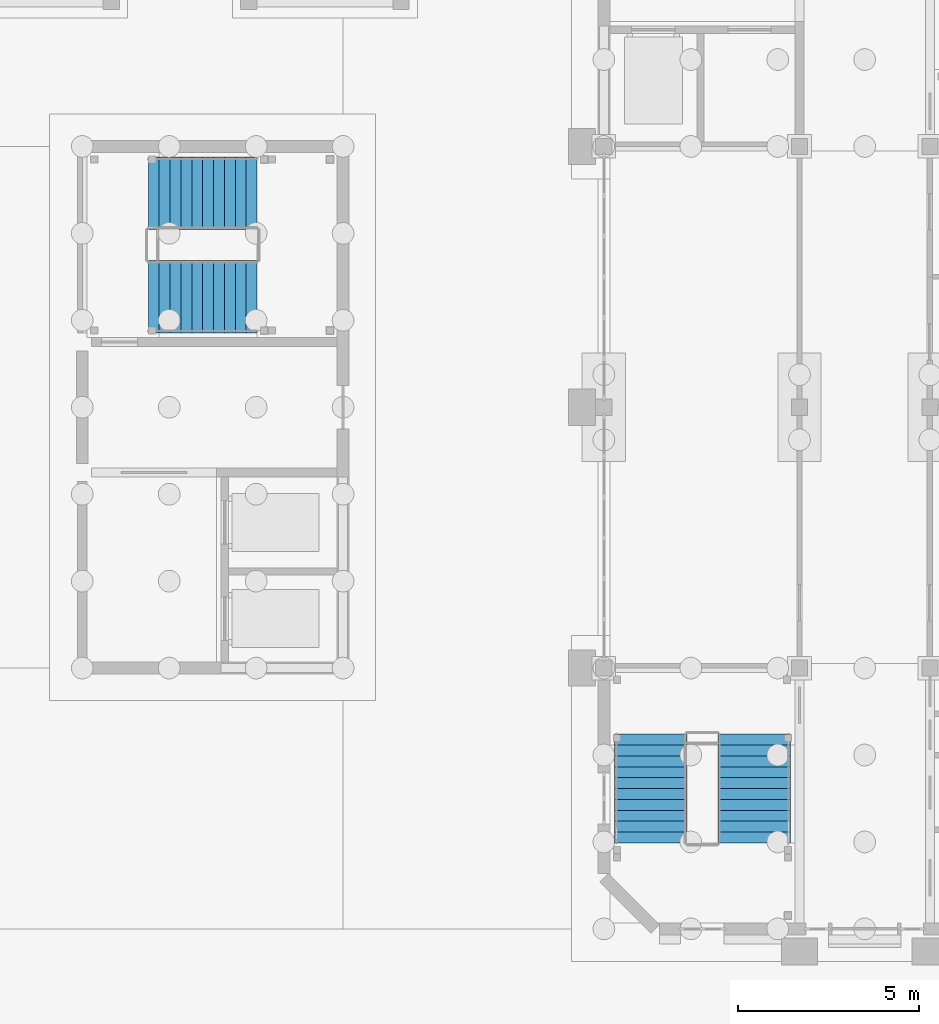
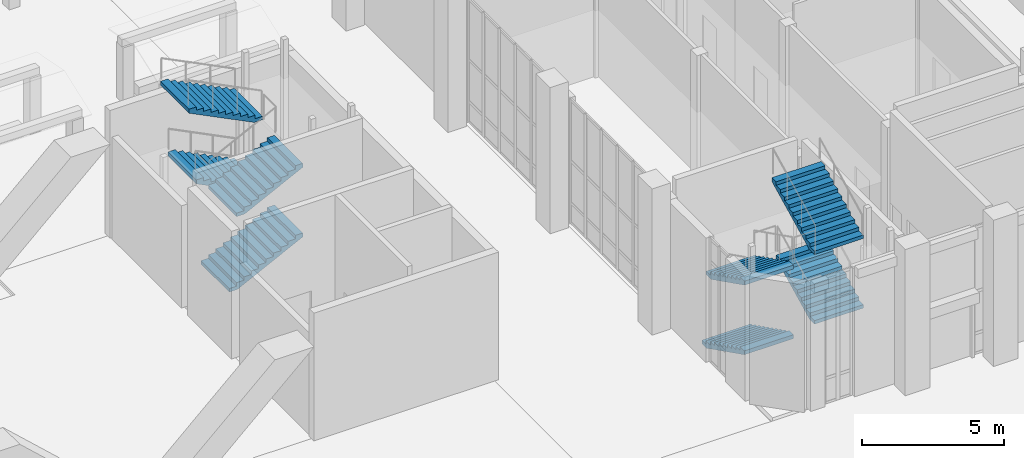
# One storey, part 64 of 84: 8 stair flights, 2 elements without a shape of their own.
"""IFC4 building model written with IfcOpenShell, lengths in metres."""

import ifcopenshell
import ifcopenshell.guid

model = None  # the IFC model being written
_history = None  # IfcOwnerHistory: only IFC2X3 demands one
_inside = {}  # id of a spatial element -> (the spatial element, [elements in it])
_under = {}  # id of a project, library or spatial element -> (it, [spatial elements below it])
_declared = {}  # id of a project -> (the project, [libraries it declares])
_typed = {}  # id of a type object -> (the type object, [elements of that type])
_made_of = {}  # id of a material, layer set ... -> (it, [elements and type objects made of it])


def new_model(schema):
    """Start an empty IFC model of exactly this schema.

    Asked for "IFC4X3", IfcOpenShell would pick the latest addendum, in which some entities
    have other attributes; the version numbers below select the first issue.
    IFC2X3 requires an IfcOwnerHistory on every rooted entity: one is made here for all.
    """
    global model, _history
    if schema == "IFC4X3":
        model = ifcopenshell.file(schema_version=(4, 3, 0, 0))
    else:
        model = ifcopenshell.file(schema=schema)
    _inside.clear()
    _under.clear()
    _declared.clear()
    _typed.clear()
    _made_of.clear()
    _history = None
    if model.schema == "IFC2X3":
        org = make("IfcOrganization", Name="unknown")
        user = make(
            "IfcPersonAndOrganization",
            ThePerson=make("IfcPerson", FamilyName="unknown"),
            TheOrganization=org,
        )
        app = make(
            "IfcApplication",
            ApplicationDeveloper=org,
            Version="unknown",
            ApplicationFullName="unknown",
            ApplicationIdentifier="unknown",
        )
        _history = make(
            "IfcOwnerHistory",
            OwningUser=user,
            OwningApplication=app,
            ChangeAction="ADDED",
            CreationDate=0,
        )
    return model


def make(cls, **values):
    """One entity of the class cls with the attributes given. An attribute that is None is left unset."""
    return model.create_entity(
        cls, **{name: value for name, value in values.items() if value is not None}
    )


def rooted(cls, **values):
    """An entity with a GlobalId (a new one), such as an element, a storey or a relation."""
    return make(cls, GlobalId=ifcopenshell.guid.new(), OwnerHistory=_history, **values)


def si_unit(unit_type, name, prefix=None):
    """IfcSIUnit, for example si_unit("LENGTHUNIT", "METRE", prefix="MILLI")."""
    return make("IfcSIUnit", UnitType=unit_type, Prefix=prefix, Name=name)


def assignment(units):
    """IfcUnitAssignment: the units of a project."""
    return None if units is None else make("IfcUnitAssignment", Units=units)


def point(xyz):
    """IfcCartesianPoint."""
    return None if xyz is None else make("IfcCartesianPoint", Coordinates=xyz)


def direction(xyz):
    """IfcDirection."""
    return None if xyz is None else make("IfcDirection", DirectionRatios=xyz)


def frame(location, z_axis=None, x_axis=None):
    """IfcAxis2Placement3D, a coordinate frame: its origin and axes. An axis left out is left unset."""
    return make(
        "IfcAxis2Placement3D",
        Location=point(location),
        Axis=direction(z_axis),
        RefDirection=direction(x_axis),
    )


def origin():
    """The frame at (0, 0, 0) with its axes left unset."""
    return frame((0.0, 0.0, 0.0))


def place(relative_to, where):
    """IfcLocalPlacement: puts the frame where relative to a parent placement (None: the world)."""
    return make(
        "IfcLocalPlacement", PlacementRelTo=relative_to, RelativePlacement=where
    )


def context(
    kind, dimensions, precision=None, world=None, true_north=None, identifier=None
):
    """IfcGeometricRepresentationContext, for example the 3D "Model" context."""
    return make(
        "IfcGeometricRepresentationContext",
        ContextIdentifier=identifier,
        ContextType=kind,
        CoordinateSpaceDimension=dimensions,
        Precision=precision,
        WorldCoordinateSystem=world,
        TrueNorth=true_north,
    )


def subcontext(parent, identifier, kind, view, scale=None):
    """IfcGeometricRepresentationSubContext, for example "Body" below "Model"."""
    return make(
        "IfcGeometricRepresentationSubContext",
        ContextIdentifier=identifier,
        ContextType=kind,
        ParentContext=parent,
        TargetScale=scale,
        TargetView=view,
    )


def project(units=None, contexts=None):
    """IfcProject with its units and contexts."""
    return rooted(
        "IfcProject",
        Name="project",
        RepresentationContexts=contexts,
        UnitsInContext=assignment(units),
    )


def spatial(cls, under=None, at=None, **own):
    """A site, building, storey or space (cls), placed at a placement, below another one or the project."""
    s = rooted(cls, ObjectPlacement=at, **own)
    if under is not None:
        _under.setdefault(under.id(), (under, []))[1].append(s)
    return s


def faces_of(points, faces, orient=None, outer=None):
    """IfcFace entities. A face is a list of loops; a loop is a list of indices into points, from 0.

    orient and outer hold one flag for each loop. By default every Orientation is true, the
    first loop of a face is its IfcFaceOuterBound and the others are IfcFaceBound.
    """
    made = []
    for i, loops in enumerate(faces):
        bounds = []
        for j, loop in enumerate(loops):
            is_outer = j == 0 if outer is None else outer[i][j]
            bounds.append(
                make(
                    "IfcFaceOuterBound" if is_outer else "IfcFaceBound",
                    Bound=make("IfcPolyLoop", Polygon=[points[k] for k in loop]),
                    Orientation=True if orient is None else orient[i][j],
                )
            )
        made.append(make("IfcFace", Bounds=bounds))
    return made


def faceted_brep(points, faces, orient=None, outer=None, voids=None):
    """IfcFacetedBrep: a solid bounded by flat faces; with voids (closed shells), ...WithVoids."""
    shared = [point(p) for p in points]
    hull = make("IfcClosedShell", CfsFaces=faces_of(shared, faces, orient, outer))
    if voids is None:
        return make("IfcFacetedBrep", Outer=hull)
    return make(
        "IfcFacetedBrepWithVoids",
        Outer=hull,
        Voids=[
            make(cls, CfsFaces=faces_of(shared, fs, o, b)) for cls, fs, o, b in voids
        ],
    )


def shape(context_of_items, identifier, shape_type, items):
    """IfcShapeRepresentation: the items that make up one representation, for example the "Body"."""
    return make(
        "IfcShapeRepresentation",
        ContextOfItems=context_of_items,
        RepresentationIdentifier=identifier,
        RepresentationType=shape_type,
        Items=items,
    )


def material(Name=None, Category=None):
    """IfcMaterial."""
    return make("IfcMaterial", Name=Name, Category=Category)


def made_of(thing, what):
    """Note that an element or type object is made of a material, layer set ...; save() writes the relation."""
    if what is not None:
        _made_of.setdefault(what.id(), (what, []))[1].append(thing)
    return thing


def type_object(cls, material=None, **own):
    """A type object (cls), such as IfcWallType, which elements share."""
    return made_of(rooted(cls, **own), material)


def element(
    cls,
    number,
    at=None,
    inside=None,
    cuts=None,
    type_object=None,
    material=None,
    context=None,
    identifier="Body",
    shape_type=None,
    held_by="IfcProductDefinitionShape",
    body=None,
    shapes=None,
    **own,
):
    """One element of the class cls, such as IfcWall. Its Tag is "e" and its number.

    at: its placement. inside: the storey or other place that contains it. cuts: it is an
    opening in that element (IfcRelVoidsElement). A single representation is given by context,
    identifier, shape_type and body (its items); several are given by shapes. held_by: the class
    of the entity that holds the representations. save() writes the other relations.
    """
    e = rooted(cls, Tag="e%d" % number, ObjectPlacement=at, **own)
    if body is not None:
        shapes = [shape(context, identifier, shape_type, body)]
    if shapes is not None:
        e.Representation = make(held_by, Representations=shapes)
    if inside is not None:
        _inside.setdefault(inside.id(), (inside, []))[1].append(e)
    if cuts is not None:
        rooted(
            "IfcRelVoidsElement", RelatingBuildingElement=cuts, RelatedOpeningElement=e
        )
    if type_object is not None:
        _typed.setdefault(type_object.id(), (type_object, []))[1].append(e)
    return made_of(e, material)


def aggregate(whole, parts):
    """IfcRelAggregates: a whole, such as a stair, and the parts it consists of."""
    return rooted("IfcRelAggregates", RelatingObject=whole, RelatedObjects=parts)


def save(model, path):
    """Write the relations noted so far, then the file.

    IfcRelAggregates (storeys below a building ...), IfcRelContainedInSpatialStructure (elements
    in a storey), IfcRelDefinesByType, IfcRelAssociatesMaterial and IfcRelDeclares: one each for
    every whole, place, type object, material and project.
    """
    for whole, parts in _under.values():
        aggregate(whole, parts)
    for where, things in _inside.values():
        rooted(
            "IfcRelContainedInSpatialStructure",
            RelatedElements=things,
            RelatingStructure=where,
        )
    for kind, things in _typed.values():
        rooted("IfcRelDefinesByType", RelatedObjects=things, RelatingType=kind)
    for what, things in _made_of.values():
        rooted("IfcRelAssociatesMaterial", RelatedObjects=things, RelatingMaterial=what)
    for by, libraries in _declared.values():
        rooted("IfcRelDeclares", RelatingContext=by, RelatedDefinitions=libraries)
    model.write(path)


model = new_model("IFC4")

# Units and contexts
model_context = context("Model", 3, precision=1e-05, world=origin(), true_north=direction((0.0, 1.0)))
body_context = subcontext(model_context, "Body", "Model", "MODEL_VIEW")
ifc_project = project(units=[si_unit("LENGTHUNIT", "METRE"), si_unit("AREAUNIT", "SQUARE_METRE"), si_unit("VOLUMEUNIT", "CUBIC_METRE"), si_unit("PLANEANGLEUNIT", "RADIAN"), si_unit("MASSUNIT", "GRAM", prefix="KILO")], contexts=[model_context])

# Site, building, storey
site_placement = place(None, origin())
site = spatial("IfcSite", under=ifc_project, at=site_placement, CompositionType="ELEMENT")
building_placement = place(site_placement, origin())
building = spatial("IfcBuilding", under=site, at=building_placement, Name="Mazhai Court Health Centre", CompositionType="ELEMENT")
storey_placement = place(building_placement, origin())
storey = spatial("IfcBuildingStorey", under=building, at=storey_placement, Name="L00", CompositionType="ELEMENT", Elevation=0.0)

# Stair, stair flights
ifc_material_1 = material(Name="Concrete M40", Category="concrete")
stair_type = type_object("IfcStairType", Name="RC STAIR 2000 42R", PredefinedType="DOUBLE_RETURN_STAIR", material=ifc_material_1)
stair_1_placement = place(storey_placement, origin())
stair_1 = element("IfcStair", 1, at=stair_1_placement, inside=storey, type_object=stair_type, Name="L00 Stair 7", PredefinedType="DOUBLE_RETURN_STAIR")
ifc_material_2 = material(Name="Concrete M40", Category="concrete")
stair_flight_type_1 = type_object("IfcStairFlightType", Name="RC STAIR FLIGHT 10R 2000", PredefinedType="STRAIGHT", material=ifc_material_2)
stair_flight_1_placement = place(storey_placement, frame((126.22509765625, 26.5048828125, 1.64990234375), z_axis=(0.0, 0.0, 1.0), x_axis=(-1.0, 0.0, 0.0)))
stair_flight_1 = element("IfcStairFlight", 2, at=stair_flight_1_placement, type_object=stair_flight_type_1, Name="ST7 flight 2", NumberOfRisers=10, NumberOfTreads=9, PredefinedType="STRAIGHT", RiserHeight=0.15, TreadLength=0.3, context=body_context, shape_type="Brep", body=[
    faceted_brep([(0.0, 1.0, 0.0), (0.0, 1.0, 0.14990234375), (0.300048828125, 1.0, 0.14990234375), (0.300048828125, 1.0, 0.300048828125), (0.60009765625, 1.0, 0.300048828125), (0.60009765625, 1.0, 0.449951171875), (0.89990234375, 1.0, 0.449951171875), (0.89990234375, 1.0, 0.60009765625), (1.199951171875, 1.0, 0.60009765625), (1.199951171875, 1.0, 0.75), (1.5, 1.0, 0.75), (1.5, 1.0, 0.89990234375), (1.800048828125, 1.0, 0.89990234375), (1.800048828125, 1.0, 1.050048828125), (2.10009765625, 1.0, 1.050048828125), (2.10009765625, 1.0, 1.199951171875), (2.39990234375, 1.0, 1.199951171875), (2.39990234375, 1.0, 1.35009765625), (2.699951171875, 1.0, 1.35009765625), (2.699951171875, 1.0, 1.182373046875), (0.335205078125, 1.0, 0.0), (0.335205078125, -1.0, 0.0), (2.699951171875, -1.0, 1.182373046875), (2.699951171875, -1.0, 1.35009765625), (2.39990234375, -1.0, 1.35009765625), (2.39990234375, -1.0, 1.199951171875), (2.10009765625, -1.0, 1.199951171875), (2.10009765625, -1.0, 1.050048828125), (1.800048828125, -1.0, 1.050048828125), (1.800048828125, -1.0, 0.89990234375), (1.5, -1.0, 0.89990234375), (1.5, -1.0, 0.75), (1.199951171875, -1.0, 0.75), (1.199951171875, -1.0, 0.60009765625), (0.89990234375, -1.0, 0.60009765625), (0.89990234375, -1.0, 0.449951171875), (0.60009765625, -1.0, 0.449951171875), (0.60009765625, -1.0, 0.300048828125), (0.300048828125, -1.0, 0.300048828125), (0.300048828125, -1.0, 0.14990234375), (0.0, -1.0, 0.14990234375), (0.0, -1.0, 0.0), (0.0, 0.0, 0.0), (0.0, 0.0, 0.14990234375), (0.300048828125, 0.0, 0.14990234375), (0.300048828125, 0.0, 0.300048828125), (0.60009765625, 0.0, 0.300048828125), (0.60009765625, 0.0, 0.449951171875), (0.89990234375, 0.0, 0.449951171875), (0.89990234375, 0.0, 0.60009765625), (1.199951171875, 0.0, 0.60009765625), (1.199951171875, 0.0, 0.75), (1.5, 0.0, 0.75), (1.5, 0.0, 0.89990234375), (1.800048828125, 0.0, 0.89990234375), (1.800048828125, 0.0, 1.050048828125), (2.10009765625, 0.0, 1.050048828125), (2.10009765625, 0.0, 1.199951171875), (2.39990234375, 0.0, 1.199951171875), (2.39990234375, 0.0, 1.35009765625), (2.699951171875, 0.0, 1.35009765625), (2.699951171875, 0.0, 1.182373046875), (0.335205078125, 0.0, 0.0)], [[[0, 1, 2, 3, 4, 5, 6, 7, 8, 9, 10, 11, 12, 13, 14, 15, 16, 17, 18, 19, 20]], [[21, 22, 23, 24, 25, 26, 27, 28, 29, 30, 31, 32, 33, 34, 35, 36, 37, 38, 39, 40, 41]], [[42, 43, 1, 0]], [[41, 40, 43, 42]], [[43, 44, 2, 1]], [[40, 39, 44, 43]], [[44, 45, 3, 2]], [[39, 38, 45, 44]], [[45, 46, 4, 3]], [[38, 37, 46, 45]], [[46, 47, 5, 4]], [[37, 36, 47, 46]], [[47, 48, 6, 5]], [[36, 35, 48, 47]], [[48, 49, 7, 6]], [[35, 34, 49, 48]], [[49, 50, 8, 7]], [[34, 33, 50, 49]], [[50, 51, 9, 8]], [[33, 32, 51, 50]], [[51, 52, 10, 9]], [[32, 31, 52, 51]], [[52, 53, 11, 10]], [[31, 30, 53, 52]], [[53, 54, 12, 11]], [[30, 29, 54, 53]], [[54, 55, 13, 12]], [[29, 28, 55, 54]], [[55, 56, 14, 13]], [[28, 27, 56, 55]], [[56, 57, 15, 14]], [[27, 26, 57, 56]], [[57, 58, 16, 15]], [[26, 25, 58, 57]], [[58, 59, 17, 16]], [[25, 24, 59, 58]], [[59, 60, 18, 17]], [[24, 23, 60, 59]], [[60, 61, 19, 18]], [[23, 22, 61, 60]], [[61, 62, 20, 19]], [[22, 21, 62, 61]], [[62, 42, 0, 20]], [[21, 41, 42, 62]]]),
])
stair_flight_2_placement = place(storey_placement, frame((123.52490234375, 23.655029296875, 3.14990234375), z_axis=(0.0, 0.0, 1.0), x_axis=(1.0, 0.0, 0.0)))
stair_flight_2 = element("IfcStairFlight", 3, at=stair_flight_2_placement, type_object=stair_flight_type_1, Name="ST7 flight 3", NumberOfRisers=10, NumberOfTreads=9, PredefinedType="STRAIGHT", RiserHeight=0.15, TreadLength=0.3, context=body_context, shape_type="Brep", body=[
    faceted_brep([(0.0, 1.0, 0.0), (0.0, 1.0, 0.14990234375), (0.300048828125, 1.0, 0.14990234375), (0.300048828125, 1.0, 0.300048828125), (0.60009765625, 1.0, 0.300048828125), (0.60009765625, 1.0, 0.449951171875), (0.89990234375, 1.0, 0.449951171875), (0.89990234375, 1.0, 0.60009765625), (1.199951171875, 1.0, 0.60009765625), (1.199951171875, 1.0, 0.75), (1.5, 1.0, 0.75), (1.5, 1.0, 0.89990234375), (1.800048828125, 1.0, 0.89990234375), (1.800048828125, 1.0, 1.050048828125), (2.10009765625, 1.0, 1.050048828125), (2.10009765625, 1.0, 1.199951171875), (2.39990234375, 1.0, 1.199951171875), (2.39990234375, 1.0, 1.35009765625), (2.699951171875, 1.0, 1.35009765625), (2.699951171875, 1.0, 1.182373046875), (0.335205078125, 1.0, 0.0), (0.335205078125, -1.0, 0.0), (2.699951171875, -1.0, 1.182373046875), (2.699951171875, -1.0, 1.35009765625), (2.39990234375, -1.0, 1.35009765625), (2.39990234375, -1.0, 1.199951171875), (2.10009765625, -1.0, 1.199951171875), (2.10009765625, -1.0, 1.050048828125), (1.800048828125, -1.0, 1.050048828125), (1.800048828125, -1.0, 0.89990234375), (1.5, -1.0, 0.89990234375), (1.5, -1.0, 0.75), (1.199951171875, -1.0, 0.75), (1.199951171875, -1.0, 0.60009765625), (0.89990234375, -1.0, 0.60009765625), (0.89990234375, -1.0, 0.449951171875), (0.60009765625, -1.0, 0.449951171875), (0.60009765625, -1.0, 0.300048828125), (0.300048828125, -1.0, 0.300048828125), (0.300048828125, -1.0, 0.14990234375), (0.0, -1.0, 0.14990234375), (0.0, -1.0, 0.0), (0.0, 0.0, 0.0), (0.0, 0.0, 0.14990234375), (0.300048828125, 0.0, 0.14990234375), (0.300048828125, 0.0, 0.300048828125), (0.60009765625, 0.0, 0.300048828125), (0.60009765625, 0.0, 0.449951171875), (0.89990234375, 0.0, 0.449951171875), (0.89990234375, 0.0, 0.60009765625), (1.199951171875, 0.0, 0.60009765625), (1.199951171875, 0.0, 0.75), (1.5, 0.0, 0.75), (1.5, 0.0, 0.89990234375), (1.800048828125, 0.0, 0.89990234375), (1.800048828125, 0.0, 1.050048828125), (2.10009765625, 0.0, 1.050048828125), (2.10009765625, 0.0, 1.199951171875), (2.39990234375, 0.0, 1.199951171875), (2.39990234375, 0.0, 1.35009765625), (2.699951171875, 0.0, 1.35009765625), (2.699951171875, 0.0, 1.182373046875), (0.335205078125, 0.0, 0.0)], [[[0, 1, 2, 3, 4, 5, 6, 7, 8, 9, 10, 11, 12, 13, 14, 15, 16, 17, 18, 19, 20]], [[21, 22, 23, 24, 25, 26, 27, 28, 29, 30, 31, 32, 33, 34, 35, 36, 37, 38, 39, 40, 41]], [[42, 43, 1, 0]], [[41, 40, 43, 42]], [[43, 44, 2, 1]], [[40, 39, 44, 43]], [[44, 45, 3, 2]], [[39, 38, 45, 44]], [[45, 46, 4, 3]], [[38, 37, 46, 45]], [[46, 47, 5, 4]], [[37, 36, 47, 46]], [[47, 48, 6, 5]], [[36, 35, 48, 47]], [[48, 49, 7, 6]], [[35, 34, 49, 48]], [[49, 50, 8, 7]], [[34, 33, 50, 49]], [[50, 51, 9, 8]], [[33, 32, 51, 50]], [[51, 52, 10, 9]], [[32, 31, 52, 51]], [[52, 53, 11, 10]], [[31, 30, 53, 52]], [[53, 54, 12, 11]], [[30, 29, 54, 53]], [[54, 55, 13, 12]], [[29, 28, 55, 54]], [[55, 56, 14, 13]], [[28, 27, 56, 55]], [[56, 57, 15, 14]], [[27, 26, 57, 56]], [[57, 58, 16, 15]], [[26, 25, 58, 57]], [[58, 59, 17, 16]], [[25, 24, 59, 58]], [[59, 60, 18, 17]], [[24, 23, 60, 59]], [[60, 61, 19, 18]], [[23, 22, 61, 60]], [[61, 62, 20, 19]], [[22, 21, 62, 61]], [[62, 42, 0, 20]], [[21, 41, 42, 62]]]),
])

stair_2_placement = place(storey_placement, origin())
stair_2 = element("IfcStair", 4, at=stair_2_placement, inside=storey, type_object=stair_type, Name="L00 Stair 8", PredefinedType="DOUBLE_RETURN_STAIR")
stair_flight_3_placement = place(storey_placement, frame((139.945068359375, 8.574951171875, 1.64990234375), z_axis=(0.0, 0.0, 1.0), x_axis=(0.0, 1.0, 0.0)))
stair_flight_3 = element("IfcStairFlight", 5, at=stair_flight_3_placement, type_object=stair_flight_type_1, Name="ST8 flight 2", NumberOfRisers=10, NumberOfTreads=9, PredefinedType="STRAIGHT", RiserHeight=0.15, TreadLength=0.3, context=body_context, shape_type="Brep", body=[
    faceted_brep([(0.0, 1.0, 0.0), (0.0, 1.0, 0.14990234375), (0.300048828125, 1.0, 0.14990234375), (0.300048828125, 1.0, 0.300048828125), (0.60009765625, 1.0, 0.300048828125), (0.60009765625, 1.0, 0.449951171875), (0.89990234375, 1.0, 0.449951171875), (0.89990234375, 1.0, 0.60009765625), (1.199951171875, 1.0, 0.60009765625), (1.199951171875, 1.0, 0.75), (1.5, 1.0, 0.75), (1.5, 1.0, 0.89990234375), (1.800048828125, 1.0, 0.89990234375), (1.800048828125, 1.0, 1.050048828125), (2.10009765625, 1.0, 1.050048828125), (2.10009765625, 1.0, 1.199951171875), (2.39990234375, 1.0, 1.199951171875), (2.39990234375, 1.0, 1.35009765625), (2.699951171875, 1.0, 1.35009765625), (2.699951171875, 1.0, 1.182373046875), (0.335205078125, 1.0, 0.0), (0.335205078125, -1.0, 0.0), (2.699951171875, -1.0, 1.182373046875), (2.699951171875, -1.0, 1.35009765625), (2.39990234375, -1.0, 1.35009765625), (2.39990234375, -1.0, 1.199951171875), (2.10009765625, -1.0, 1.199951171875), (2.10009765625, -1.0, 1.050048828125), (1.800048828125, -1.0, 1.050048828125), (1.800048828125, -1.0, 0.89990234375), (1.5, -1.0, 0.89990234375), (1.5, -1.0, 0.75), (1.199951171875, -1.0, 0.75), (1.199951171875, -1.0, 0.60009765625), (0.89990234375, -1.0, 0.60009765625), (0.89990234375, -1.0, 0.449951171875), (0.60009765625, -1.0, 0.449951171875), (0.60009765625, -1.0, 0.300048828125), (0.300048828125, -1.0, 0.300048828125), (0.300048828125, -1.0, 0.14990234375), (0.0, -1.0, 0.14990234375), (0.0, -1.0, 0.0), (0.0, 0.0, 0.0), (0.0, 0.0, 0.14990234375), (0.300048828125, 0.0, 0.14990234375), (0.300048828125, 0.0, 0.300048828125), (0.60009765625, 0.0, 0.300048828125), (0.60009765625, 0.0, 0.449951171875), (0.89990234375, 0.0, 0.449951171875), (0.89990234375, 0.0, 0.60009765625), (1.199951171875, 0.0, 0.60009765625), (1.199951171875, 0.0, 0.75), (1.5, 0.0, 0.75), (1.5, 0.0, 0.89990234375), (1.800048828125, 0.0, 0.89990234375), (1.800048828125, 0.0, 1.050048828125), (2.10009765625, 0.0, 1.050048828125), (2.10009765625, 0.0, 1.199951171875), (2.39990234375, 0.0, 1.199951171875), (2.39990234375, 0.0, 1.35009765625), (2.699951171875, 0.0, 1.35009765625), (2.699951171875, 0.0, 1.182373046875), (0.335205078125, 0.0, 0.0)], [[[0, 1, 2, 3, 4, 5, 6, 7, 8, 9, 10, 11, 12, 13, 14, 15, 16, 17, 18, 19, 20]], [[21, 22, 23, 24, 25, 26, 27, 28, 29, 30, 31, 32, 33, 34, 35, 36, 37, 38, 39, 40, 41]], [[42, 43, 1, 0]], [[41, 40, 43, 42]], [[43, 44, 2, 1]], [[40, 39, 44, 43]], [[44, 45, 3, 2]], [[39, 38, 45, 44]], [[45, 46, 4, 3]], [[38, 37, 46, 45]], [[46, 47, 5, 4]], [[37, 36, 47, 46]], [[47, 48, 6, 5]], [[36, 35, 48, 47]], [[48, 49, 7, 6]], [[35, 34, 49, 48]], [[49, 50, 8, 7]], [[34, 33, 50, 49]], [[50, 51, 9, 8]], [[33, 32, 51, 50]], [[51, 52, 10, 9]], [[32, 31, 52, 51]], [[52, 53, 11, 10]], [[31, 30, 53, 52]], [[53, 54, 12, 11]], [[30, 29, 54, 53]], [[54, 55, 13, 12]], [[29, 28, 55, 54]], [[55, 56, 14, 13]], [[28, 27, 56, 55]], [[56, 57, 15, 14]], [[27, 26, 57, 56]], [[57, 58, 16, 15]], [[26, 25, 58, 57]], [[58, 59, 17, 16]], [[25, 24, 59, 58]], [[59, 60, 18, 17]], [[24, 23, 60, 59]], [[60, 61, 19, 18]], [[23, 22, 61, 60]], [[61, 62, 20, 19]], [[22, 21, 62, 61]], [[62, 42, 0, 20]], [[21, 41, 42, 62]]]),
])
stair_flight_4_placement = place(storey_placement, frame((137.094970703125, 11.27490234375, 3.14990234375), z_axis=(0.0, 0.0, 1.0), x_axis=(0.0, -1.0, 0.0)))
stair_flight_4 = element("IfcStairFlight", 6, at=stair_flight_4_placement, type_object=stair_flight_type_1, Name="ST8 flight 3", NumberOfRisers=10, NumberOfTreads=9, PredefinedType="STRAIGHT", RiserHeight=0.15, TreadLength=0.3, context=body_context, shape_type="Brep", body=[
    faceted_brep([(0.0, 1.0, 0.0), (0.0, 1.0, 0.14990234375), (0.300048828125, 1.0, 0.14990234375), (0.300048828125, 1.0, 0.300048828125), (0.60009765625, 1.0, 0.300048828125), (0.60009765625, 1.0, 0.449951171875), (0.89990234375, 1.0, 0.449951171875), (0.89990234375, 1.0, 0.60009765625), (1.199951171875, 1.0, 0.60009765625), (1.199951171875, 1.0, 0.75), (1.5, 1.0, 0.75), (1.5, 1.0, 0.89990234375), (1.800048828125, 1.0, 0.89990234375), (1.800048828125, 1.0, 1.050048828125), (2.10009765625, 1.0, 1.050048828125), (2.10009765625, 1.0, 1.199951171875), (2.39990234375, 1.0, 1.199951171875), (2.39990234375, 1.0, 1.35009765625), (2.699951171875, 1.0, 1.35009765625), (2.699951171875, 1.0, 1.182373046875), (0.335205078125, 1.0, 0.0), (0.335205078125, -1.0, 0.0), (2.699951171875, -1.0, 1.182373046875), (2.699951171875, -1.0, 1.35009765625), (2.39990234375, -1.0, 1.35009765625), (2.39990234375, -1.0, 1.199951171875), (2.10009765625, -1.0, 1.199951171875), (2.10009765625, -1.0, 1.050048828125), (1.800048828125, -1.0, 1.050048828125), (1.800048828125, -1.0, 0.89990234375), (1.5, -1.0, 0.89990234375), (1.5, -1.0, 0.75), (1.199951171875, -1.0, 0.75), (1.199951171875, -1.0, 0.60009765625), (0.89990234375, -1.0, 0.60009765625), (0.89990234375, -1.0, 0.449951171875), (0.60009765625, -1.0, 0.449951171875), (0.60009765625, -1.0, 0.300048828125), (0.300048828125, -1.0, 0.300048828125), (0.300048828125, -1.0, 0.14990234375), (0.0, -1.0, 0.14990234375), (0.0, -1.0, 0.0), (0.0, 0.0, 0.0), (0.0, 0.0, 0.14990234375), (0.300048828125, 0.0, 0.14990234375), (0.300048828125, 0.0, 0.300048828125), (0.60009765625, 0.0, 0.300048828125), (0.60009765625, 0.0, 0.449951171875), (0.89990234375, 0.0, 0.449951171875), (0.89990234375, 0.0, 0.60009765625), (1.199951171875, 0.0, 0.60009765625), (1.199951171875, 0.0, 0.75), (1.5, 0.0, 0.75), (1.5, 0.0, 0.89990234375), (1.800048828125, 0.0, 0.89990234375), (1.800048828125, 0.0, 1.050048828125), (2.10009765625, 0.0, 1.050048828125), (2.10009765625, 0.0, 1.199951171875), (2.39990234375, 0.0, 1.199951171875), (2.39990234375, 0.0, 1.35009765625), (2.699951171875, 0.0, 1.35009765625), (2.699951171875, 0.0, 1.182373046875), (0.335205078125, 0.0, 0.0)], [[[0, 1, 2, 3, 4, 5, 6, 7, 8, 9, 10, 11, 12, 13, 14, 15, 16, 17, 18, 19, 20]], [[21, 22, 23, 24, 25, 26, 27, 28, 29, 30, 31, 32, 33, 34, 35, 36, 37, 38, 39, 40, 41]], [[42, 43, 1, 0]], [[41, 40, 43, 42]], [[43, 44, 2, 1]], [[40, 39, 44, 43]], [[44, 45, 3, 2]], [[39, 38, 45, 44]], [[45, 46, 4, 3]], [[38, 37, 46, 45]], [[46, 47, 5, 4]], [[37, 36, 47, 46]], [[47, 48, 6, 5]], [[36, 35, 48, 47]], [[48, 49, 7, 6]], [[35, 34, 49, 48]], [[49, 50, 8, 7]], [[34, 33, 50, 49]], [[50, 51, 9, 8]], [[33, 32, 51, 50]], [[51, 52, 10, 9]], [[32, 31, 52, 51]], [[52, 53, 11, 10]], [[31, 30, 53, 52]], [[53, 54, 12, 11]], [[30, 29, 54, 53]], [[54, 55, 13, 12]], [[29, 28, 55, 54]], [[55, 56, 14, 13]], [[28, 27, 56, 55]], [[56, 57, 15, 14]], [[27, 26, 57, 56]], [[57, 58, 16, 15]], [[26, 25, 58, 57]], [[58, 59, 17, 16]], [[25, 24, 59, 58]], [[59, 60, 18, 17]], [[24, 23, 60, 59]], [[60, 61, 19, 18]], [[23, 22, 61, 60]], [[61, 62, 20, 19]], [[22, 21, 62, 61]], [[62, 42, 0, 20]], [[21, 41, 42, 62]]]),
])

# Stair flight
ifc_material_3 = material(Name="Concrete M40", Category="concrete")
stair_flight_type_2 = type_object("IfcStairFlightType", Name="RC STAIR FLIGHT 11R 2000", PredefinedType="STRAIGHT", material=ifc_material_3)
stair_flight_5_placement = place(storey_placement, frame((123.22509765625, 23.655029296875, 0.0), z_axis=(0.0, 0.0, 1.0), x_axis=(1.0, 0.0, 0.0)))
stair_flight_5 = element("IfcStairFlight", 7, at=stair_flight_5_placement, type_object=stair_flight_type_2, Name="ST7 flight 1", NumberOfRisers=11, NumberOfTreads=10, PredefinedType="STRAIGHT", RiserHeight=0.15, TreadLength=0.3, context=body_context, shape_type="Brep", body=[
    faceted_brep([(0.0, 1.0, 0.0), (0.0, 1.0, 0.14990234375), (0.300048828125, 1.0, 0.14990234375), (0.300048828125, 1.0, 0.300048828125), (0.60009765625, 1.0, 0.300048828125), (0.60009765625, 1.0, 0.449951171875), (0.89990234375, 1.0, 0.449951171875), (0.89990234375, 1.0, 0.60009765625), (1.199951171875, 1.0, 0.60009765625), (1.199951171875, 1.0, 0.75), (1.5, 1.0, 0.75), (1.5, 1.0, 0.89990234375), (1.800048828125, 1.0, 0.89990234375), (1.800048828125, 1.0, 1.050048828125), (2.10009765625, 1.0, 1.050048828125), (2.10009765625, 1.0, 1.199951171875), (2.39990234375, 1.0, 1.199951171875), (2.39990234375, 1.0, 1.35009765625), (2.699951171875, 1.0, 1.35009765625), (2.699951171875, 1.0, 1.5), (3.0, 1.0, 1.5), (3.0, 1.0, 1.33251953125), (0.335205078125, 1.0, 0.0), (0.335205078125, -1.0, 0.0), (3.0, -1.0, 1.33251953125), (3.0, -1.0, 1.5), (2.699951171875, -1.0, 1.5), (2.699951171875, -1.0, 1.35009765625), (2.39990234375, -1.0, 1.35009765625), (2.39990234375, -1.0, 1.199951171875), (2.10009765625, -1.0, 1.199951171875), (2.10009765625, -1.0, 1.050048828125), (1.800048828125, -1.0, 1.050048828125), (1.800048828125, -1.0, 0.89990234375), (1.5, -1.0, 0.89990234375), (1.5, -1.0, 0.75), (1.199951171875, -1.0, 0.75), (1.199951171875, -1.0, 0.60009765625), (0.89990234375, -1.0, 0.60009765625), (0.89990234375, -1.0, 0.449951171875), (0.60009765625, -1.0, 0.449951171875), (0.60009765625, -1.0, 0.300048828125), (0.300048828125, -1.0, 0.300048828125), (0.300048828125, -1.0, 0.14990234375), (0.0, -1.0, 0.14990234375), (0.0, -1.0, 0.0), (0.0, 0.0, 0.0), (0.0, 0.0, 0.14990234375), (0.300048828125, 0.0, 0.14990234375), (0.300048828125, 0.0, 0.300048828125), (0.60009765625, 0.0, 0.300048828125), (0.60009765625, 0.0, 0.449951171875), (0.89990234375, 0.0, 0.449951171875), (0.89990234375, 0.0, 0.60009765625), (1.199951171875, 0.0, 0.60009765625), (1.199951171875, 0.0, 0.75), (1.5, 0.0, 0.75), (1.5, 0.0, 0.89990234375), (1.800048828125, 0.0, 0.89990234375), (1.800048828125, 0.0, 1.050048828125), (2.10009765625, 0.0, 1.050048828125), (2.10009765625, 0.0, 1.199951171875), (2.39990234375, 0.0, 1.199951171875), (2.39990234375, 0.0, 1.35009765625), (2.699951171875, 0.0, 1.35009765625), (2.699951171875, 0.0, 1.5), (3.0, 0.0, 1.5), (3.0, 0.0, 1.33251953125), (0.335205078125, 0.0, 0.0)], [[[0, 1, 2, 3, 4, 5, 6, 7, 8, 9, 10, 11, 12, 13, 14, 15, 16, 17, 18, 19, 20, 21, 22]], [[23, 24, 25, 26, 27, 28, 29, 30, 31, 32, 33, 34, 35, 36, 37, 38, 39, 40, 41, 42, 43, 44, 45]], [[46, 47, 1, 0]], [[45, 44, 47, 46]], [[47, 48, 2, 1]], [[44, 43, 48, 47]], [[48, 49, 3, 2]], [[43, 42, 49, 48]], [[49, 50, 4, 3]], [[42, 41, 50, 49]], [[50, 51, 5, 4]], [[41, 40, 51, 50]], [[51, 52, 6, 5]], [[40, 39, 52, 51]], [[52, 53, 7, 6]], [[39, 38, 53, 52]], [[53, 54, 8, 7]], [[38, 37, 54, 53]], [[54, 55, 9, 8]], [[37, 36, 55, 54]], [[55, 56, 10, 9]], [[36, 35, 56, 55]], [[56, 57, 11, 10]], [[35, 34, 57, 56]], [[57, 58, 12, 11]], [[34, 33, 58, 57]], [[58, 59, 13, 12]], [[33, 32, 59, 58]], [[59, 60, 14, 13]], [[32, 31, 60, 59]], [[60, 61, 15, 14]], [[31, 30, 61, 60]], [[61, 62, 16, 15]], [[30, 29, 62, 61]], [[62, 63, 17, 16]], [[29, 28, 63, 62]], [[63, 64, 18, 17]], [[28, 27, 64, 63]], [[64, 65, 19, 18]], [[27, 26, 65, 64]], [[65, 66, 20, 19]], [[26, 25, 66, 65]], [[66, 67, 21, 20]], [[25, 24, 67, 66]], [[67, 68, 22, 21]], [[24, 23, 68, 67]], [[68, 46, 0, 22]], [[23, 45, 46, 68]]]),
])

stair_flight_6_placement = place(storey_placement, frame((126.22509765625, 26.5048828125, 4.64990234375), z_axis=(0.0, 0.0, 1.0), x_axis=(-1.0, 0.0, 0.0)))
stair_flight_6 = element("IfcStairFlight", 8, at=stair_flight_6_placement, type_object=stair_flight_type_2, Name="ST7 flight 4", NumberOfRisers=11, NumberOfTreads=10, PredefinedType="STRAIGHT", RiserHeight=0.15, TreadLength=0.3, context=body_context, shape_type="Brep", body=[
    faceted_brep([(0.0, 1.0, 0.0), (0.0, 1.0, 0.14990234375), (0.300048828125, 1.0, 0.14990234375), (0.300048828125, 1.0, 0.300048828125), (0.60009765625, 1.0, 0.300048828125), (0.60009765625, 1.0, 0.449951171875), (0.89990234375, 1.0, 0.449951171875), (0.89990234375, 1.0, 0.60009765625), (1.199951171875, 1.0, 0.60009765625), (1.199951171875, 1.0, 0.75), (1.5, 1.0, 0.75), (1.5, 1.0, 0.89990234375), (1.800048828125, 1.0, 0.89990234375), (1.800048828125, 1.0, 1.050048828125), (2.10009765625, 1.0, 1.050048828125), (2.10009765625, 1.0, 1.199951171875), (2.39990234375, 1.0, 1.199951171875), (2.39990234375, 1.0, 1.35009765625), (2.699951171875, 1.0, 1.35009765625), (2.699951171875, 1.0, 1.5), (3.0, 1.0, 1.5), (3.0, 1.0, 1.33251953125), (0.335205078125, 1.0, 0.0), (0.335205078125, -1.0, 0.0), (3.0, -1.0, 1.33251953125), (3.0, -1.0, 1.5), (2.699951171875, -1.0, 1.5), (2.699951171875, -1.0, 1.35009765625), (2.39990234375, -1.0, 1.35009765625), (2.39990234375, -1.0, 1.199951171875), (2.10009765625, -1.0, 1.199951171875), (2.10009765625, -1.0, 1.050048828125), (1.800048828125, -1.0, 1.050048828125), (1.800048828125, -1.0, 0.89990234375), (1.5, -1.0, 0.89990234375), (1.5, -1.0, 0.75), (1.199951171875, -1.0, 0.75), (1.199951171875, -1.0, 0.60009765625), (0.89990234375, -1.0, 0.60009765625), (0.89990234375, -1.0, 0.449951171875), (0.60009765625, -1.0, 0.449951171875), (0.60009765625, -1.0, 0.300048828125), (0.300048828125, -1.0, 0.300048828125), (0.300048828125, -1.0, 0.14990234375), (0.0, -1.0, 0.14990234375), (0.0, -1.0, 0.0), (0.0, 0.0, 0.0), (0.0, 0.0, 0.14990234375), (0.300048828125, 0.0, 0.14990234375), (0.300048828125, 0.0, 0.300048828125), (0.60009765625, 0.0, 0.300048828125), (0.60009765625, 0.0, 0.449951171875), (0.89990234375, 0.0, 0.449951171875), (0.89990234375, 0.0, 0.60009765625), (1.199951171875, 0.0, 0.60009765625), (1.199951171875, 0.0, 0.75), (1.5, 0.0, 0.75), (1.5, 0.0, 0.89990234375), (1.800048828125, 0.0, 0.89990234375), (1.800048828125, 0.0, 1.050048828125), (2.10009765625, 0.0, 1.050048828125), (2.10009765625, 0.0, 1.199951171875), (2.39990234375, 0.0, 1.199951171875), (2.39990234375, 0.0, 1.35009765625), (2.699951171875, 0.0, 1.35009765625), (2.699951171875, 0.0, 1.5), (3.0, 0.0, 1.5), (3.0, 0.0, 1.33251953125), (0.335205078125, 0.0, 0.0)], [[[0, 1, 2, 3, 4, 5, 6, 7, 8, 9, 10, 11, 12, 13, 14, 15, 16, 17, 18, 19, 20, 21, 22]], [[23, 24, 25, 26, 27, 28, 29, 30, 31, 32, 33, 34, 35, 36, 37, 38, 39, 40, 41, 42, 43, 44, 45]], [[46, 47, 1, 0]], [[45, 44, 47, 46]], [[47, 48, 2, 1]], [[44, 43, 48, 47]], [[48, 49, 3, 2]], [[43, 42, 49, 48]], [[49, 50, 4, 3]], [[42, 41, 50, 49]], [[50, 51, 5, 4]], [[41, 40, 51, 50]], [[51, 52, 6, 5]], [[40, 39, 52, 51]], [[52, 53, 7, 6]], [[39, 38, 53, 52]], [[53, 54, 8, 7]], [[38, 37, 54, 53]], [[54, 55, 9, 8]], [[37, 36, 55, 54]], [[55, 56, 10, 9]], [[36, 35, 56, 55]], [[56, 57, 11, 10]], [[35, 34, 57, 56]], [[57, 58, 12, 11]], [[34, 33, 58, 57]], [[58, 59, 13, 12]], [[33, 32, 59, 58]], [[59, 60, 14, 13]], [[32, 31, 60, 59]], [[60, 61, 15, 14]], [[31, 30, 61, 60]], [[61, 62, 16, 15]], [[30, 29, 62, 61]], [[62, 63, 17, 16]], [[29, 28, 63, 62]], [[63, 64, 18, 17]], [[28, 27, 64, 63]], [[64, 65, 19, 18]], [[27, 26, 65, 64]], [[65, 66, 20, 19]], [[26, 25, 66, 65]], [[66, 67, 21, 20]], [[25, 24, 67, 66]], [[67, 68, 22, 21]], [[24, 23, 68, 67]], [[68, 46, 0, 22]], [[23, 45, 46, 68]]]),
])

aggregate(stair_1, [stair_flight_5, stair_flight_1, stair_flight_2, stair_flight_6])

stair_flight_7_placement = place(storey_placement, frame((137.094970703125, 11.574951171875, 0.0), z_axis=(0.0, 0.0, 1.0), x_axis=(0.0, -1.0, 0.0)))
stair_flight_7 = element("IfcStairFlight", 9, at=stair_flight_7_placement, type_object=stair_flight_type_2, Name="ST8 flight 1", NumberOfRisers=11, NumberOfTreads=10, PredefinedType="STRAIGHT", RiserHeight=0.15, TreadLength=0.3, context=body_context, shape_type="Brep", body=[
    faceted_brep([(0.0, 1.0, 0.0), (0.0, 1.0, 0.14990234375), (0.300048828125, 1.0, 0.14990234375), (0.300048828125, 1.0, 0.300048828125), (0.60009765625, 1.0, 0.300048828125), (0.60009765625, 1.0, 0.449951171875), (0.89990234375, 1.0, 0.449951171875), (0.89990234375, 1.0, 0.60009765625), (1.199951171875, 1.0, 0.60009765625), (1.199951171875, 1.0, 0.75), (1.5, 1.0, 0.75), (1.5, 1.0, 0.89990234375), (1.800048828125, 1.0, 0.89990234375), (1.800048828125, 1.0, 1.050048828125), (2.10009765625, 1.0, 1.050048828125), (2.10009765625, 1.0, 1.199951171875), (2.39990234375, 1.0, 1.199951171875), (2.39990234375, 1.0, 1.35009765625), (2.699951171875, 1.0, 1.35009765625), (2.699951171875, 1.0, 1.5), (3.0, 1.0, 1.5), (3.0, 1.0, 1.33251953125), (0.335205078125, 1.0, 0.0), (0.335205078125, -1.0, 0.0), (3.0, -1.0, 1.33251953125), (3.0, -1.0, 1.5), (2.699951171875, -1.0, 1.5), (2.699951171875, -1.0, 1.35009765625), (2.39990234375, -1.0, 1.35009765625), (2.39990234375, -1.0, 1.199951171875), (2.10009765625, -1.0, 1.199951171875), (2.10009765625, -1.0, 1.050048828125), (1.800048828125, -1.0, 1.050048828125), (1.800048828125, -1.0, 0.89990234375), (1.5, -1.0, 0.89990234375), (1.5, -1.0, 0.75), (1.199951171875, -1.0, 0.75), (1.199951171875, -1.0, 0.60009765625), (0.89990234375, -1.0, 0.60009765625), (0.89990234375, -1.0, 0.449951171875), (0.60009765625, -1.0, 0.449951171875), (0.60009765625, -1.0, 0.300048828125), (0.300048828125, -1.0, 0.300048828125), (0.300048828125, -1.0, 0.14990234375), (0.0, -1.0, 0.14990234375), (0.0, -1.0, 0.0), (0.0, 0.0, 0.0), (0.0, 0.0, 0.14990234375), (0.300048828125, 0.0, 0.14990234375), (0.300048828125, 0.0, 0.300048828125), (0.60009765625, 0.0, 0.300048828125), (0.60009765625, 0.0, 0.449951171875), (0.89990234375, 0.0, 0.449951171875), (0.89990234375, 0.0, 0.60009765625), (1.199951171875, 0.0, 0.60009765625), (1.199951171875, 0.0, 0.75), (1.5, 0.0, 0.75), (1.5, 0.0, 0.89990234375), (1.800048828125, 0.0, 0.89990234375), (1.800048828125, 0.0, 1.050048828125), (2.10009765625, 0.0, 1.050048828125), (2.10009765625, 0.0, 1.199951171875), (2.39990234375, 0.0, 1.199951171875), (2.39990234375, 0.0, 1.35009765625), (2.699951171875, 0.0, 1.35009765625), (2.699951171875, 0.0, 1.5), (3.0, 0.0, 1.5), (3.0, 0.0, 1.33251953125), (0.335205078125, 0.0, 0.0)], [[[0, 1, 2, 3, 4, 5, 6, 7, 8, 9, 10, 11, 12, 13, 14, 15, 16, 17, 18, 19, 20, 21, 22]], [[23, 24, 25, 26, 27, 28, 29, 30, 31, 32, 33, 34, 35, 36, 37, 38, 39, 40, 41, 42, 43, 44, 45]], [[46, 47, 1, 0]], [[45, 44, 47, 46]], [[47, 48, 2, 1]], [[44, 43, 48, 47]], [[48, 49, 3, 2]], [[43, 42, 49, 48]], [[49, 50, 4, 3]], [[42, 41, 50, 49]], [[50, 51, 5, 4]], [[41, 40, 51, 50]], [[51, 52, 6, 5]], [[40, 39, 52, 51]], [[52, 53, 7, 6]], [[39, 38, 53, 52]], [[53, 54, 8, 7]], [[38, 37, 54, 53]], [[54, 55, 9, 8]], [[37, 36, 55, 54]], [[55, 56, 10, 9]], [[36, 35, 56, 55]], [[56, 57, 11, 10]], [[35, 34, 57, 56]], [[57, 58, 12, 11]], [[34, 33, 58, 57]], [[58, 59, 13, 12]], [[33, 32, 59, 58]], [[59, 60, 14, 13]], [[32, 31, 60, 59]], [[60, 61, 15, 14]], [[31, 30, 61, 60]], [[61, 62, 16, 15]], [[30, 29, 62, 61]], [[62, 63, 17, 16]], [[29, 28, 63, 62]], [[63, 64, 18, 17]], [[28, 27, 64, 63]], [[64, 65, 19, 18]], [[27, 26, 65, 64]], [[65, 66, 20, 19]], [[26, 25, 66, 65]], [[66, 67, 21, 20]], [[25, 24, 67, 66]], [[67, 68, 22, 21]], [[24, 23, 68, 67]], [[68, 46, 0, 22]], [[23, 45, 46, 68]]]),
])

stair_flight_8_placement = place(storey_placement, frame((139.945068359375, 8.574951171875, 4.64990234375), z_axis=(0.0, 0.0, 1.0), x_axis=(0.0, 1.0, 0.0)))
stair_flight_8 = element("IfcStairFlight", 10, at=stair_flight_8_placement, type_object=stair_flight_type_2, Name="ST8 flight 4", NumberOfRisers=11, NumberOfTreads=10, PredefinedType="STRAIGHT", RiserHeight=0.15, TreadLength=0.3, context=body_context, shape_type="Brep", body=[
    faceted_brep([(0.0, 1.0, 0.0), (0.0, 1.0, 0.14990234375), (0.300048828125, 1.0, 0.14990234375), (0.300048828125, 1.0, 0.300048828125), (0.60009765625, 1.0, 0.300048828125), (0.60009765625, 1.0, 0.449951171875), (0.89990234375, 1.0, 0.449951171875), (0.89990234375, 1.0, 0.60009765625), (1.199951171875, 1.0, 0.60009765625), (1.199951171875, 1.0, 0.75), (1.5, 1.0, 0.75), (1.5, 1.0, 0.89990234375), (1.800048828125, 1.0, 0.89990234375), (1.800048828125, 1.0, 1.050048828125), (2.10009765625, 1.0, 1.050048828125), (2.10009765625, 1.0, 1.199951171875), (2.39990234375, 1.0, 1.199951171875), (2.39990234375, 1.0, 1.35009765625), (2.699951171875, 1.0, 1.35009765625), (2.699951171875, 1.0, 1.5), (3.0, 1.0, 1.5), (3.0, 1.0, 1.33251953125), (0.335205078125, 1.0, 0.0), (0.335205078125, -1.0, 0.0), (3.0, -1.0, 1.33251953125), (3.0, -1.0, 1.5), (2.699951171875, -1.0, 1.5), (2.699951171875, -1.0, 1.35009765625), (2.39990234375, -1.0, 1.35009765625), (2.39990234375, -1.0, 1.199951171875), (2.10009765625, -1.0, 1.199951171875), (2.10009765625, -1.0, 1.050048828125), (1.800048828125, -1.0, 1.050048828125), (1.800048828125, -1.0, 0.89990234375), (1.5, -1.0, 0.89990234375), (1.5, -1.0, 0.75), (1.199951171875, -1.0, 0.75), (1.199951171875, -1.0, 0.60009765625), (0.89990234375, -1.0, 0.60009765625), (0.89990234375, -1.0, 0.449951171875), (0.60009765625, -1.0, 0.449951171875), (0.60009765625, -1.0, 0.300048828125), (0.300048828125, -1.0, 0.300048828125), (0.300048828125, -1.0, 0.14990234375), (0.0, -1.0, 0.14990234375), (0.0, -1.0, 0.0), (0.0, 0.0, 0.0), (0.0, 0.0, 0.14990234375), (0.300048828125, 0.0, 0.14990234375), (0.300048828125, 0.0, 0.300048828125), (0.60009765625, 0.0, 0.300048828125), (0.60009765625, 0.0, 0.449951171875), (0.89990234375, 0.0, 0.449951171875), (0.89990234375, 0.0, 0.60009765625), (1.199951171875, 0.0, 0.60009765625), (1.199951171875, 0.0, 0.75), (1.5, 0.0, 0.75), (1.5, 0.0, 0.89990234375), (1.800048828125, 0.0, 0.89990234375), (1.800048828125, 0.0, 1.050048828125), (2.10009765625, 0.0, 1.050048828125), (2.10009765625, 0.0, 1.199951171875), (2.39990234375, 0.0, 1.199951171875), (2.39990234375, 0.0, 1.35009765625), (2.699951171875, 0.0, 1.35009765625), (2.699951171875, 0.0, 1.5), (3.0, 0.0, 1.5), (3.0, 0.0, 1.33251953125), (0.335205078125, 0.0, 0.0)], [[[0, 1, 2, 3, 4, 5, 6, 7, 8, 9, 10, 11, 12, 13, 14, 15, 16, 17, 18, 19, 20, 21, 22]], [[23, 24, 25, 26, 27, 28, 29, 30, 31, 32, 33, 34, 35, 36, 37, 38, 39, 40, 41, 42, 43, 44, 45]], [[46, 47, 1, 0]], [[45, 44, 47, 46]], [[47, 48, 2, 1]], [[44, 43, 48, 47]], [[48, 49, 3, 2]], [[43, 42, 49, 48]], [[49, 50, 4, 3]], [[42, 41, 50, 49]], [[50, 51, 5, 4]], [[41, 40, 51, 50]], [[51, 52, 6, 5]], [[40, 39, 52, 51]], [[52, 53, 7, 6]], [[39, 38, 53, 52]], [[53, 54, 8, 7]], [[38, 37, 54, 53]], [[54, 55, 9, 8]], [[37, 36, 55, 54]], [[55, 56, 10, 9]], [[36, 35, 56, 55]], [[56, 57, 11, 10]], [[35, 34, 57, 56]], [[57, 58, 12, 11]], [[34, 33, 58, 57]], [[58, 59, 13, 12]], [[33, 32, 59, 58]], [[59, 60, 14, 13]], [[32, 31, 60, 59]], [[60, 61, 15, 14]], [[31, 30, 61, 60]], [[61, 62, 16, 15]], [[30, 29, 62, 61]], [[62, 63, 17, 16]], [[29, 28, 63, 62]], [[63, 64, 18, 17]], [[28, 27, 64, 63]], [[64, 65, 19, 18]], [[27, 26, 65, 64]], [[65, 66, 20, 19]], [[26, 25, 66, 65]], [[66, 67, 21, 20]], [[25, 24, 67, 66]], [[67, 68, 22, 21]], [[24, 23, 68, 67]], [[68, 46, 0, 22]], [[23, 45, 46, 68]]]),
])

aggregate(stair_2, [stair_flight_7, stair_flight_3, stair_flight_4, stair_flight_8])

save(model, "model.ifc")
